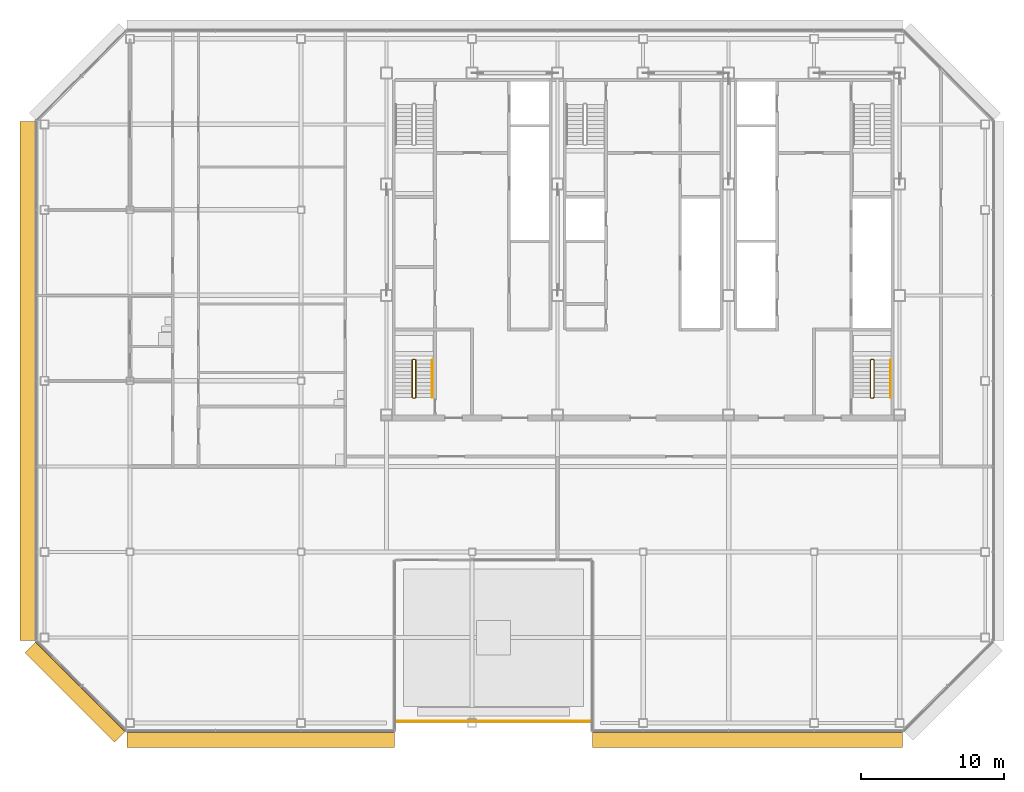
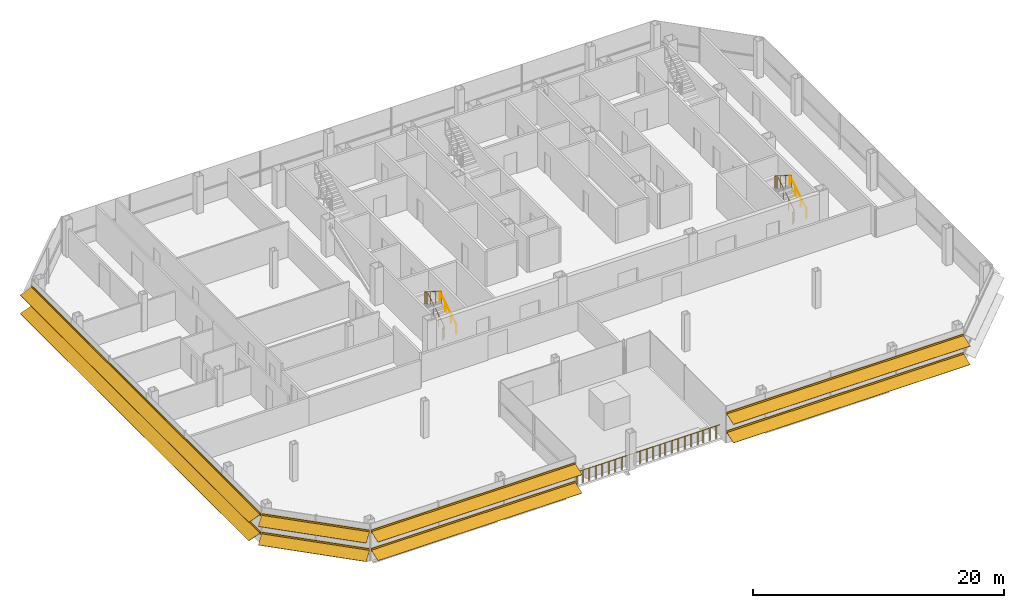
# One storey, part 24 of 27: 5 railings, 4 shading devices.
"""IFC4 building model written with IfcOpenShell, lengths in metres."""

from ifc_helpers import new_model, si_unit, direction, frame, origin, origin_2d, place, context, subcontext, project, spatial, polyline, circle, outline, composite_profile, extrude, material, type_object, element, save


model = new_model("IFC4")

# Units and contexts
model_context = context("Model", 3, precision=1e-05, world=origin(), true_north=direction((0.0, 1.0)))
body_context = subcontext(model_context, "Body", "Model", "MODEL_VIEW")
ifc_project = project(units=[si_unit("LENGTHUNIT", "METRE"), si_unit("AREAUNIT", "SQUARE_METRE"), si_unit("VOLUMEUNIT", "CUBIC_METRE"), si_unit("PLANEANGLEUNIT", "RADIAN"), si_unit("MASSUNIT", "GRAM", prefix="KILO")], contexts=[model_context])

# Site, building, storey
site_placement = place(None, origin())
site = spatial("IfcSite", under=ifc_project, at=site_placement, CompositionType="ELEMENT")
building_placement = place(site_placement, origin())
building = spatial("IfcBuilding", under=site, at=building_placement, Name="Sorahane Residences", CompositionType="ELEMENT")
storey_placement = place(building_placement, frame((0.0, 0.0, 298.0)))
storey = spatial("IfcBuildingStorey", under=building, at=storey_placement, Name="L70", CompositionType="ELEMENT", Elevation=298.0)

# Shading devices
ifc_material_1 = material(Name="Terracotta anodised aluminium", Category="masonry")
shading_device_type_1 = type_object("IfcShadingDeviceType", Name="Louvre sunshade blade S terracotta aluminium 1100", PredefinedType="JALOUSIE", material=ifc_material_1)
shading_device_1_placement = place(storey_placement, frame((-12.198486328125, -0.60009765625, 0.89990234375), z_axis=(1.0, 0.0, 0.0), x_axis=(0.0, 1.0, 0.0)))
element("IfcShadingDevice", 1, at=shading_device_1_placement, inside=storey, type_object=shading_device_type_1, Name="Louvre sunshade blade bank S L70 S1", PredefinedType="JALOUSIE", context=body_context, shape_type="SweptSolid", body=[
    extrude(composite_profile([outline(polyline([(-1.1201171875, -0.385498046875), (-1.1201171875, -0.415283203125), (-0.080078125, -0.036865234375), (-0.080078125, -0.14990234375), (-0.02001953125, -0.14990234375), (-0.02001953125, -0.014892578125), (-0.02001953125, 0.014892578125), (-0.02001953125, 0.14990234375), (-0.080078125, 0.14990234375), (-0.080078125, -0.0068359375), (-1.1201171875, -0.385498046875)])), outline(polyline([(-1.1201171875, 1.41455078125), (-1.1201171875, 1.384521484375), (-0.080078125, 1.76318359375), (-0.080078125, 1.64990234375), (-0.02001953125, 1.64990234375), (-0.02001953125, 1.784912109375), (-0.02001953125, 1.81494140625), (-0.02001953125, 1.949951171875), (-0.080078125, 1.949951171875), (-0.080078125, 1.793212890625), (-1.1201171875, 1.41455078125)]))]), origin(), (0.0, 0.0, 1.0), 18.74853515625),
])
shading_device_2_placement = place(storey_placement, frame((20.449951171875, -0.60009765625, 0.89990234375), z_axis=(1.0, 0.0, 0.0), x_axis=(0.0, 1.0, 0.0)))
element("IfcShadingDevice", 2, at=shading_device_2_placement, inside=storey, type_object=shading_device_type_1, Name="Louvre sunshade blade bank S L70 S3", PredefinedType="JALOUSIE", context=body_context, shape_type="SweptSolid", body=[
    extrude(composite_profile([outline(polyline([(-1.1201171875, -0.385498046875), (-1.1201171875, -0.415283203125), (-0.080078125, -0.036865234375), (-0.080078125, -0.14990234375), (-0.02001953125, -0.14990234375), (-0.02001953125, -0.014892578125), (-0.02001953125, 0.014892578125), (-0.02001953125, 0.14990234375), (-0.080078125, 0.14990234375), (-0.080078125, -0.0068359375), (-1.1201171875, -0.385498046875)])), outline(polyline([(-1.1201171875, 1.41455078125), (-1.1201171875, 1.384521484375), (-0.080078125, 1.76318359375), (-0.080078125, 1.64990234375), (-0.02001953125, 1.64990234375), (-0.02001953125, 1.784912109375), (-0.02001953125, 1.81494140625), (-0.02001953125, 1.949951171875), (-0.080078125, 1.949951171875), (-0.080078125, 1.793212890625), (-1.1201171875, 1.41455078125)]))]), origin(), (0.0, 0.0, 1.0), 21.74853515625),
])
ifc_material_2 = material(Name="Terracotta anodised aluminium", Category="masonry")
shading_device_type_2 = type_object("IfcShadingDeviceType", Name="Louvre sunshade blade SW terracotta aluminium 1100", PredefinedType="JALOUSIE", material=ifc_material_2)
shading_device_3_placement = place(storey_placement, frame((-18.564697265625, 5.716064453125, 0.89990234375), z_axis=(0.707106781187, -0.707106781187, 0.0), x_axis=(0.707106781187, 0.707106781187, 0.0)))
element("IfcShadingDevice", 3, at=shading_device_3_placement, inside=storey, type_object=shading_device_type_2, Name="Louvre sunshade blade bank SW L70 SW1", PredefinedType="JALOUSIE", context=body_context, shape_type="SweptSolid", body=[
    extrude(composite_profile([outline(polyline([(-1.1201171875, -0.385498046875), (-1.1201171875, -0.415283203125), (-0.080078125, -0.036865234375), (-0.080078125, -0.14990234375), (-0.02001953125, -0.14990234375), (-0.02001953125, -0.014892578125), (-0.02001953125, 0.014892578125), (-0.02001953125, 0.14990234375), (-0.080078125, 0.14990234375), (-0.080078125, -0.0068359375), (-1.1201171875, -0.385498046875)])), outline(polyline([(-1.1201171875, 1.41455078125), (-1.1201171875, 1.384521484375), (-0.080078125, 1.76318359375), (-0.080078125, 1.64990234375), (-0.02001953125, 1.64990234375), (-0.02001953125, 1.784912109375), (-0.02001953125, 1.81494140625), (-0.02001953125, 1.949951171875), (-0.080078125, 1.949951171875), (-0.080078125, 1.793212890625), (-1.1201171875, 1.41455078125)]))]), origin(), (0.0, 0.0, 1.0), 8.88232421875),
])
ifc_material_3 = material(Name="Terracotta anodised aluminium", Category="masonry")
shading_device_type_3 = type_object("IfcShadingDeviceType", Name="Louvre sunshade blade W terracotta aluminium 1100", PredefinedType="JALOUSIE", material=ifc_material_3)
shading_device_4_placement = place(storey_placement, frame((-18.60009765625, 42.198486328125, 0.89990234375), z_axis=(0.0, -1.0, 0.0), x_axis=(1.0, 0.0, 0.0)))
element("IfcShadingDevice", 4, at=shading_device_4_placement, inside=storey, type_object=shading_device_type_3, Name="Louvre sunshade blade bank W L70 W2", PredefinedType="JALOUSIE", context=body_context, shape_type="SweptSolid", body=[
    extrude(composite_profile([outline(polyline([(-1.1201171875, -0.385498046875), (-1.1201171875, -0.415283203125), (-0.080078125, -0.036865234375), (-0.080078125, -0.14990234375), (-0.02001953125, -0.14990234375), (-0.02001953125, -0.014892578125), (-0.02001953125, 0.014892578125), (-0.02001953125, 0.14990234375), (-0.080078125, 0.14990234375), (-0.080078125, -0.0068359375), (-1.1201171875, -0.385498046875)])), outline(polyline([(-1.1201171875, 1.41455078125), (-1.1201171875, 1.384521484375), (-0.080078125, 1.76318359375), (-0.080078125, 1.64990234375), (-0.02001953125, 1.64990234375), (-0.02001953125, 1.784912109375), (-0.02001953125, 1.81494140625), (-0.02001953125, 1.949951171875), (-0.080078125, 1.949951171875), (-0.080078125, 1.793212890625), (-1.1201171875, 1.41455078125)]))]), origin(), (0.0, 0.0, 1.0), 36.39697265625),
])

# Railings
ifc_material_4 = material(Name="Steel Q355B", Category="steel")
railing_type_1 = type_object("IfcRailingType", Name="Stair guard 1200 Steel Q355B", PredefinedType="GUARDRAIL", material=ifc_material_4)
railing_1_placement = place(storey_placement, frame((7.85009765625, 22.800048828125, 0.0)))
element("IfcRailing", 5, at=railing_1_placement, inside=storey, type_object=railing_type_1, Name="L70 S4 stair guard 1", PredefinedType="GUARDRAIL", context=body_context, shape_type="SweptSolid", body=[
    extrude(circle(Radius=0.02392578125, at=origin_2d()), frame((0.0, 0.0, 1.17578125), z_axis=(1.0, 0.0, 0.0), x_axis=(0.0, 1.0, 0.0)), (0.0, 0.0, 1.0), 0.14990234375),
    extrude(circle(Radius=0.02392578125, at=origin_2d()), frame((0.14990234375, 0.0, 1.17578125), z_axis=(0.280808744504, 0.280808744504, 0.917765164963), x_axis=(-0.707106781187, 0.707106781187, 0.0)), (0.0, 0.0, 1.0), 0.17822265625),
    extrude(circle(Radius=0.02392578125, at=origin_2d()), frame((0.199951171875, 0.050048828125, 1.33935546875), z_axis=(0.0, 0.846301844409, 0.532703658848), x_axis=(-1.0, 0.0, 0.0)), (0.0, 0.0, 1.0), 3.072021484375),
    extrude(circle(Radius=0.02392578125, at=origin_2d()), frame((0.199951171875, 2.64990234375, 2.97607421875), z_axis=(-0.707106781187, 0.707106781187, 0.0), x_axis=(-0.707106781187, -0.707106781187, 0.0)), (0.0, 0.0, 1.0), 0.07080078125),
    extrude(circle(Radius=0.02392578125, at=origin_2d()), frame((0.14990234375, 2.699951171875, 2.97607421875), z_axis=(-1.0, 0.0, 0.0), x_axis=(0.0, -1.0, 0.0)), (0.0, 0.0, 1.0), 0.14990234375),
    extrude(circle(Radius=0.02392578125, at=origin_2d()), frame((0.0, 2.699951171875, 2.97607421875), z_axis=(-0.280808744504, -0.280808744504, 0.917765164963), x_axis=(0.707106781187, -0.707106781187, 0.0)), (0.0, 0.0, 1.0), 0.17822265625),
    extrude(circle(Radius=0.02392578125, at=origin_2d()), frame((-0.050048828125, 2.64990234375, 3.1396484375), z_axis=(0.0, -0.846301844409, 0.532703658848), x_axis=(1.0, 0.0, 0.0)), (0.0, 0.0, 1.0), 3.072021484375),
    extrude(circle(Radius=0.02099609375, at=origin_2d()), origin(), (0.0, 0.0, 1.0), 1.15185546875),
    extrude(circle(Radius=0.02099609375, at=origin_2d()), frame((0.14990234375, 0.0, 0.0)), (0.0, 0.0, 1.0), 1.15185546875),
    extrude(circle(Radius=0.02099609375, at=origin_2d()), frame((0.199951171875, 0.050048828125, 0.16357421875)), (0.0, 0.0, 1.0), 1.15185546875),
    extrude(circle(Radius=0.02099609375, at=origin_2d()), frame((0.199951171875, 0.916748046875, 0.708984375)), (0.0, 0.0, 1.0), 1.15185546875),
    extrude(circle(Radius=0.02099609375, at=origin_2d()), frame((0.199951171875, 1.783203125, 1.254638671875)), (0.0, 0.0, 1.0), 1.15185546875),
    extrude(circle(Radius=0.02099609375, at=origin_2d()), frame((0.199951171875, 2.64990234375, 1.800048828125)), (0.0, 0.0, 1.0), 1.15185546875),
    extrude(circle(Radius=0.02099609375, at=origin_2d()), frame((0.14990234375, 2.699951171875, 1.800048828125)), (0.0, 0.0, 1.0), 1.15185546875),
    extrude(circle(Radius=0.02099609375, at=origin_2d()), frame((0.0, 2.699951171875, 1.800048828125)), (0.0, 0.0, 1.0), 1.15185546875),
    extrude(circle(Radius=0.02099609375, at=origin_2d()), frame((-0.050048828125, 2.64990234375, 1.963623046875)), (0.0, 0.0, 1.0), 1.15185546875),
    extrude(circle(Radius=0.02099609375, at=origin_2d()), frame((-0.050048828125, 1.783203125, 2.509033203125)), (0.0, 0.0, 1.0), 1.15185546875),
    extrude(circle(Radius=0.02099609375, at=origin_2d()), frame((-0.050048828125, 0.916748046875, 3.0546875)), (0.0, 0.0, 1.0), 1.15185546875),
    extrude(circle(Radius=0.02099609375, at=origin_2d()), frame((-0.050048828125, 0.050048828125, 3.60009765625)), (0.0, 0.0, 1.0), 1.15185546875),
])
railing_2_placement = place(storey_placement, frame((40.0, 22.800048828125, 0.0)))
element("IfcRailing", 6, at=railing_2_placement, inside=storey, type_object=railing_type_1, Name="L70 S5 stair guard 1", PredefinedType="GUARDRAIL", context=body_context, shape_type="SweptSolid", body=[
    extrude(circle(Radius=0.02392578125, at=origin_2d()), frame((0.0, 0.0, 1.17578125), z_axis=(1.0, 0.0, 0.0), x_axis=(0.0, 1.0, 0.0)), (0.0, 0.0, 1.0), 0.14990234375),
    extrude(circle(Radius=0.02392578125, at=origin_2d()), frame((0.14990234375, 0.0, 1.17578125), z_axis=(0.280808744504, 0.280808744504, 0.917765164963), x_axis=(-0.707106781187, 0.707106781187, 0.0)), (0.0, 0.0, 1.0), 0.17822265625),
    extrude(circle(Radius=0.02392578125, at=origin_2d()), frame((0.199951171875, 0.050048828125, 1.33935546875), z_axis=(0.0, 0.846301844409, 0.532703658848), x_axis=(-1.0, 0.0, 0.0)), (0.0, 0.0, 1.0), 3.072021484375),
    extrude(circle(Radius=0.02392578125, at=origin_2d()), frame((0.199951171875, 2.64990234375, 2.97607421875), z_axis=(-0.707106781187, 0.707106781187, 0.0), x_axis=(-0.707106781187, -0.707106781187, 0.0)), (0.0, 0.0, 1.0), 0.07080078125),
    extrude(circle(Radius=0.02392578125, at=origin_2d()), frame((0.14990234375, 2.699951171875, 2.97607421875), z_axis=(-1.0, 0.0, 0.0), x_axis=(0.0, -1.0, 0.0)), (0.0, 0.0, 1.0), 0.14990234375),
    extrude(circle(Radius=0.02392578125, at=origin_2d()), frame((0.0, 2.699951171875, 2.97607421875), z_axis=(-0.280808744504, -0.280808744504, 0.917765164963), x_axis=(0.707106781187, -0.707106781187, 0.0)), (0.0, 0.0, 1.0), 0.17822265625),
    extrude(circle(Radius=0.02392578125, at=origin_2d()), frame((-0.050048828125, 2.64990234375, 3.1396484375), z_axis=(0.0, -0.846301844409, 0.532703658848), x_axis=(1.0, 0.0, 0.0)), (0.0, 0.0, 1.0), 3.072021484375),
    extrude(circle(Radius=0.02099609375, at=origin_2d()), origin(), (0.0, 0.0, 1.0), 1.15185546875),
    extrude(circle(Radius=0.02099609375, at=origin_2d()), frame((0.14990234375, 0.0, 0.0)), (0.0, 0.0, 1.0), 1.15185546875),
    extrude(circle(Radius=0.02099609375, at=origin_2d()), frame((0.199951171875, 0.050048828125, 0.16357421875)), (0.0, 0.0, 1.0), 1.15185546875),
    extrude(circle(Radius=0.02099609375, at=origin_2d()), frame((0.199951171875, 0.916748046875, 0.708984375)), (0.0, 0.0, 1.0), 1.15185546875),
    extrude(circle(Radius=0.02099609375, at=origin_2d()), frame((0.199951171875, 1.783203125, 1.254638671875)), (0.0, 0.0, 1.0), 1.15185546875),
    extrude(circle(Radius=0.02099609375, at=origin_2d()), frame((0.199951171875, 2.64990234375, 1.800048828125)), (0.0, 0.0, 1.0), 1.15185546875),
    extrude(circle(Radius=0.02099609375, at=origin_2d()), frame((0.14990234375, 2.699951171875, 1.800048828125)), (0.0, 0.0, 1.0), 1.15185546875),
    extrude(circle(Radius=0.02099609375, at=origin_2d()), frame((0.0, 2.699951171875, 1.800048828125)), (0.0, 0.0, 1.0), 1.15185546875),
    extrude(circle(Radius=0.02099609375, at=origin_2d()), frame((-0.050048828125, 2.64990234375, 1.963623046875)), (0.0, 0.0, 1.0), 1.15185546875),
    extrude(circle(Radius=0.02099609375, at=origin_2d()), frame((-0.050048828125, 1.783203125, 2.509033203125)), (0.0, 0.0, 1.0), 1.15185546875),
    extrude(circle(Radius=0.02099609375, at=origin_2d()), frame((-0.050048828125, 0.916748046875, 3.0546875)), (0.0, 0.0, 1.0), 1.15185546875),
    extrude(circle(Radius=0.02099609375, at=origin_2d()), frame((-0.050048828125, 0.050048828125, 3.60009765625)), (0.0, 0.0, 1.0), 1.15185546875),
])
ifc_material_5 = material(Name="Steel Q355B", Category="steel")
railing_type_2 = type_object("IfcRailingType", Name="Stair handrail 900 Steel Q355B", PredefinedType="HANDRAIL", material=ifc_material_5)
for number, where, name in (
    (7, (9.199951171875, 22.85009765625, 0.16357421875), "L70 S4 stair handrail 1"),
    (8, (41.35009765625, 22.85009765625, 0.16357421875), "L70 S5 stair handrail 1"),
):
    element("IfcRailing", number, at=place(storey_placement, frame(where)), inside=storey, type_object=railing_type_2, Name=name, PredefinedType="HANDRAIL", context=body_context, shape_type="SweptSolid", body=[
        extrude(circle(Radius=0.02392578125, at=origin_2d()), frame((0.0, 0.0, 0.8759765625), z_axis=(0.0, 0.846301844409, 0.532703658848), x_axis=(-1.0, 0.0, 0.0)), (0.0, 0.0, 1.0), 3.072021484375),
        extrude(circle(Radius=0.02099609375, at=origin_2d()), origin(), (0.0, 0.0, 1.0), 0.851806640625),
        extrude(circle(Radius=0.02099609375, at=origin_2d()), frame((0.0, 0.86669921875, 0.54541015625)), (0.0, 0.0, 1.0), 0.851806640625),
        extrude(circle(Radius=0.02099609375, at=origin_2d()), frame((0.0, 1.733154296875, 1.091064453125)), (0.0, 0.0, 1.0), 0.851806640625),
        extrude(circle(Radius=0.02099609375, at=origin_2d()), frame((0.0, 2.599853515625, 1.636474609375)), (0.0, 0.0, 1.0), 0.851806640625),
    ])
ifc_material_6 = material(Name="Clear low-iron glass with a black steel top rail", Category="steel")
railing_type_3 = type_object("IfcRailingType", Name="Terrace guard black steel bars 1260", PredefinedType="GUARDRAIL", material=ifc_material_6)
railing_3_placement = place(storey_placement, frame((20.280029296875, 0.1201171875, 0.0)))
element("IfcRailing", 9, at=railing_3_placement, inside=storey, type_object=railing_type_3, Name="Terrace guard L70.1.1", PredefinedType="GUARDRAIL", context=body_context, shape_type="SweptSolid", body=[
    extrude(circle(Radius=0.030029296875, at=origin_2d()), frame((0.0, 0.0, 1.22998046875), z_axis=(-1.0, 0.0, 0.0), x_axis=(0.0, -1.0, 0.0)), (0.0, 0.0, 1.0), 13.56005859375),
    extrude(circle(Radius=0.0068359375, at=origin_2d()), origin(), (0.0, 0.0, 1.0), 1.199951171875),
    extrude(circle(Radius=0.0068359375, at=origin_2d()), frame((-0.099609375, 0.0, 0.0)), (0.0, 0.0, 1.0), 1.199951171875),
    extrude(circle(Radius=0.0068359375, at=origin_2d()), frame((-0.199462890625, 0.0, 0.0)), (0.0, 0.0, 1.0), 1.199951171875),
    extrude(circle(Radius=0.0068359375, at=origin_2d()), frame((-0.299072265625, 0.0, 0.0)), (0.0, 0.0, 1.0), 1.199951171875),
    extrude(circle(Radius=0.0068359375, at=origin_2d()), frame((-0.39892578125, 0.0, 0.0)), (0.0, 0.0, 1.0), 1.199951171875),
    extrude(circle(Radius=0.0068359375, at=origin_2d()), frame((-0.49853515625, 0.0, 0.0)), (0.0, 0.0, 1.0), 1.199951171875),
    extrude(circle(Radius=0.0068359375, at=origin_2d()), frame((-0.59814453125, 0.0, 0.0)), (0.0, 0.0, 1.0), 1.199951171875),
    extrude(circle(Radius=0.0068359375, at=origin_2d()), frame((-0.697998046875, 0.0, 0.0)), (0.0, 0.0, 1.0), 1.199951171875),
    extrude(circle(Radius=0.0068359375, at=origin_2d()), frame((-0.797607421875, 0.0, 0.0)), (0.0, 0.0, 1.0), 1.199951171875),
    extrude(circle(Radius=0.0068359375, at=origin_2d()), frame((-0.8974609375, 0.0, 0.0)), (0.0, 0.0, 1.0), 1.199951171875),
    extrude(circle(Radius=0.0068359375, at=origin_2d()), frame((-0.9970703125, 0.0, 0.0)), (0.0, 0.0, 1.0), 1.199951171875),
    extrude(circle(Radius=0.0068359375, at=origin_2d()), frame((-1.0966796875, 0.0, 0.0)), (0.0, 0.0, 1.0), 1.199951171875),
    extrude(circle(Radius=0.0068359375, at=origin_2d()), frame((-1.196533203125, 0.0, 0.0)), (0.0, 0.0, 1.0), 1.199951171875),
    extrude(circle(Radius=0.0068359375, at=origin_2d()), frame((-1.296142578125, 0.0, 0.0)), (0.0, 0.0, 1.0), 1.199951171875),
    extrude(circle(Radius=0.0068359375, at=origin_2d()), frame((-1.39599609375, 0.0, 0.0)), (0.0, 0.0, 1.0), 1.199951171875),
    extrude(circle(Radius=0.0068359375, at=origin_2d()), frame((-1.49560546875, 0.0, 0.0)), (0.0, 0.0, 1.0), 1.199951171875),
    extrude(circle(Radius=0.0068359375, at=origin_2d()), frame((-1.59521484375, 0.0, 0.0)), (0.0, 0.0, 1.0), 1.199951171875),
    extrude(circle(Radius=0.0068359375, at=origin_2d()), frame((-1.695068359375, 0.0, 0.0)), (0.0, 0.0, 1.0), 1.199951171875),
    extrude(circle(Radius=0.0068359375, at=origin_2d()), frame((-1.794677734375, 0.0, 0.0)), (0.0, 0.0, 1.0), 1.199951171875),
    extrude(circle(Radius=0.0068359375, at=origin_2d()), frame((-1.89453125, 0.0, 0.0)), (0.0, 0.0, 1.0), 1.199951171875),
    extrude(circle(Radius=0.0068359375, at=origin_2d()), frame((-1.994140625, 0.0, 0.0)), (0.0, 0.0, 1.0), 1.199951171875),
    extrude(circle(Radius=0.0068359375, at=origin_2d()), frame((-2.09375, 0.0, 0.0)), (0.0, 0.0, 1.0), 1.199951171875),
    extrude(circle(Radius=0.0068359375, at=origin_2d()), frame((-2.193603515625, 0.0, 0.0)), (0.0, 0.0, 1.0), 1.199951171875),
    extrude(circle(Radius=0.0068359375, at=origin_2d()), frame((-2.293212890625, 0.0, 0.0)), (0.0, 0.0, 1.0), 1.199951171875),
    extrude(circle(Radius=0.0068359375, at=origin_2d()), frame((-2.39306640625, 0.0, 0.0)), (0.0, 0.0, 1.0), 1.199951171875),
    extrude(circle(Radius=0.0068359375, at=origin_2d()), frame((-2.49267578125, 0.0, 0.0)), (0.0, 0.0, 1.0), 1.199951171875),
    extrude(circle(Radius=0.0068359375, at=origin_2d()), frame((-2.59228515625, 0.0, 0.0)), (0.0, 0.0, 1.0), 1.199951171875),
    extrude(circle(Radius=0.0068359375, at=origin_2d()), frame((-2.692138671875, 0.0, 0.0)), (0.0, 0.0, 1.0), 1.199951171875),
    extrude(circle(Radius=0.0068359375, at=origin_2d()), frame((-2.791748046875, 0.0, 0.0)), (0.0, 0.0, 1.0), 1.199951171875),
    extrude(circle(Radius=0.0068359375, at=origin_2d()), frame((-2.8916015625, 0.0, 0.0)), (0.0, 0.0, 1.0), 1.199951171875),
    extrude(circle(Radius=0.0068359375, at=origin_2d()), frame((-2.9912109375, 0.0, 0.0)), (0.0, 0.0, 1.0), 1.199951171875),
    extrude(circle(Radius=0.0068359375, at=origin_2d()), frame((-3.0908203125, 0.0, 0.0)), (0.0, 0.0, 1.0), 1.199951171875),
    extrude(circle(Radius=0.0068359375, at=origin_2d()), frame((-3.190673828125, 0.0, 0.0)), (0.0, 0.0, 1.0), 1.199951171875),
    extrude(circle(Radius=0.0068359375, at=origin_2d()), frame((-3.290283203125, 0.0, 0.0)), (0.0, 0.0, 1.0), 1.199951171875),
    extrude(circle(Radius=0.0068359375, at=origin_2d()), frame((-3.39013671875, 0.0, 0.0)), (0.0, 0.0, 1.0), 1.199951171875),
    extrude(circle(Radius=0.0068359375, at=origin_2d()), frame((-3.48974609375, 0.0, 0.0)), (0.0, 0.0, 1.0), 1.199951171875),
    extrude(circle(Radius=0.0068359375, at=origin_2d()), frame((-3.58935546875, 0.0, 0.0)), (0.0, 0.0, 1.0), 1.199951171875),
    extrude(circle(Radius=0.0068359375, at=origin_2d()), frame((-3.689208984375, 0.0, 0.0)), (0.0, 0.0, 1.0), 1.199951171875),
    extrude(circle(Radius=0.0068359375, at=origin_2d()), frame((-3.788818359375, 0.0, 0.0)), (0.0, 0.0, 1.0), 1.199951171875),
    extrude(circle(Radius=0.0068359375, at=origin_2d()), frame((-3.888427734375, 0.0, 0.0)), (0.0, 0.0, 1.0), 1.199951171875),
    extrude(circle(Radius=0.0068359375, at=origin_2d()), frame((-3.98828125, 0.0, 0.0)), (0.0, 0.0, 1.0), 1.199951171875),
    extrude(circle(Radius=0.0068359375, at=origin_2d()), frame((-4.087890625, 0.0, 0.0)), (0.0, 0.0, 1.0), 1.199951171875),
    extrude(circle(Radius=0.0068359375, at=origin_2d()), frame((-4.187744140625, 0.0, 0.0)), (0.0, 0.0, 1.0), 1.199951171875),
    extrude(circle(Radius=0.0068359375, at=origin_2d()), frame((-4.287353515625, 0.0, 0.0)), (0.0, 0.0, 1.0), 1.199951171875),
    extrude(circle(Radius=0.0068359375, at=origin_2d()), frame((-4.386962890625, 0.0, 0.0)), (0.0, 0.0, 1.0), 1.199951171875),
    extrude(circle(Radius=0.0068359375, at=origin_2d()), frame((-4.48681640625, 0.0, 0.0)), (0.0, 0.0, 1.0), 1.199951171875),
    extrude(circle(Radius=0.0068359375, at=origin_2d()), frame((-4.58642578125, 0.0, 0.0)), (0.0, 0.0, 1.0), 1.199951171875),
    extrude(circle(Radius=0.0068359375, at=origin_2d()), frame((-4.686279296875, 0.0, 0.0)), (0.0, 0.0, 1.0), 1.199951171875),
    extrude(circle(Radius=0.0068359375, at=origin_2d()), frame((-4.785888671875, 0.0, 0.0)), (0.0, 0.0, 1.0), 1.199951171875),
    extrude(circle(Radius=0.0068359375, at=origin_2d()), frame((-4.885498046875, 0.0, 0.0)), (0.0, 0.0, 1.0), 1.199951171875),
    extrude(circle(Radius=0.0068359375, at=origin_2d()), frame((-4.9853515625, 0.0, 0.0)), (0.0, 0.0, 1.0), 1.199951171875),
    extrude(circle(Radius=0.0068359375, at=origin_2d()), frame((-5.0849609375, 0.0, 0.0)), (0.0, 0.0, 1.0), 1.199951171875),
    extrude(circle(Radius=0.0068359375, at=origin_2d()), frame((-5.184814453125, 0.0, 0.0)), (0.0, 0.0, 1.0), 1.199951171875),
    extrude(circle(Radius=0.0068359375, at=origin_2d()), frame((-5.284423828125, 0.0, 0.0)), (0.0, 0.0, 1.0), 1.199951171875),
    extrude(circle(Radius=0.0068359375, at=origin_2d()), frame((-5.384033203125, 0.0, 0.0)), (0.0, 0.0, 1.0), 1.199951171875),
    extrude(circle(Radius=0.0068359375, at=origin_2d()), frame((-5.48388671875, 0.0, 0.0)), (0.0, 0.0, 1.0), 1.199951171875),
    extrude(circle(Radius=0.0068359375, at=origin_2d()), frame((-5.58349609375, 0.0, 0.0)), (0.0, 0.0, 1.0), 1.199951171875),
    extrude(circle(Radius=0.0068359375, at=origin_2d()), frame((-5.683349609375, 0.0, 0.0)), (0.0, 0.0, 1.0), 1.199951171875),
    extrude(circle(Radius=0.0068359375, at=origin_2d()), frame((-5.782958984375, 0.0, 0.0)), (0.0, 0.0, 1.0), 1.199951171875),
    extrude(circle(Radius=0.0068359375, at=origin_2d()), frame((-5.882568359375, 0.0, 0.0)), (0.0, 0.0, 1.0), 1.199951171875),
    extrude(circle(Radius=0.0068359375, at=origin_2d()), frame((-5.982421875, 0.0, 0.0)), (0.0, 0.0, 1.0), 1.199951171875),
    extrude(circle(Radius=0.0068359375, at=origin_2d()), frame((-6.08203125, 0.0, 0.0)), (0.0, 0.0, 1.0), 1.199951171875),
    extrude(circle(Radius=0.0068359375, at=origin_2d()), frame((-6.181884765625, 0.0, 0.0)), (0.0, 0.0, 1.0), 1.199951171875),
    extrude(circle(Radius=0.0068359375, at=origin_2d()), frame((-6.281494140625, 0.0, 0.0)), (0.0, 0.0, 1.0), 1.199951171875),
    extrude(circle(Radius=0.0068359375, at=origin_2d()), frame((-6.381103515625, 0.0, 0.0)), (0.0, 0.0, 1.0), 1.199951171875),
    extrude(circle(Radius=0.0068359375, at=origin_2d()), frame((-6.48095703125, 0.0, 0.0)), (0.0, 0.0, 1.0), 1.199951171875),
    extrude(circle(Radius=0.0068359375, at=origin_2d()), frame((-6.58056640625, 0.0, 0.0)), (0.0, 0.0, 1.0), 1.199951171875),
    extrude(circle(Radius=0.0068359375, at=origin_2d()), frame((-6.680419921875, 0.0, 0.0)), (0.0, 0.0, 1.0), 1.199951171875),
    extrude(circle(Radius=0.0068359375, at=origin_2d()), frame((-6.780029296875, 0.0, 0.0)), (0.0, 0.0, 1.0), 1.199951171875),
    extrude(circle(Radius=0.0068359375, at=origin_2d()), frame((-6.879638671875, 0.0, 0.0)), (0.0, 0.0, 1.0), 1.199951171875),
    extrude(circle(Radius=0.0068359375, at=origin_2d()), frame((-6.9794921875, 0.0, 0.0)), (0.0, 0.0, 1.0), 1.199951171875),
    extrude(circle(Radius=0.0068359375, at=origin_2d()), frame((-7.0791015625, 0.0, 0.0)), (0.0, 0.0, 1.0), 1.199951171875),
    extrude(circle(Radius=0.0068359375, at=origin_2d()), frame((-7.178955078125, 0.0, 0.0)), (0.0, 0.0, 1.0), 1.199951171875),
    extrude(circle(Radius=0.0068359375, at=origin_2d()), frame((-7.278564453125, 0.0, 0.0)), (0.0, 0.0, 1.0), 1.199951171875),
    extrude(circle(Radius=0.0068359375, at=origin_2d()), frame((-7.378173828125, 0.0, 0.0)), (0.0, 0.0, 1.0), 1.199951171875),
    extrude(circle(Radius=0.0068359375, at=origin_2d()), frame((-7.47802734375, 0.0, 0.0)), (0.0, 0.0, 1.0), 1.199951171875),
    extrude(circle(Radius=0.0068359375, at=origin_2d()), frame((-7.57763671875, 0.0, 0.0)), (0.0, 0.0, 1.0), 1.199951171875),
    extrude(circle(Radius=0.0068359375, at=origin_2d()), frame((-7.677490234375, 0.0, 0.0)), (0.0, 0.0, 1.0), 1.199951171875),
    extrude(circle(Radius=0.0068359375, at=origin_2d()), frame((-7.777099609375, 0.0, 0.0)), (0.0, 0.0, 1.0), 1.199951171875),
    extrude(circle(Radius=0.0068359375, at=origin_2d()), frame((-7.876708984375, 0.0, 0.0)), (0.0, 0.0, 1.0), 1.199951171875),
    extrude(circle(Radius=0.0068359375, at=origin_2d()), frame((-7.9765625, 0.0, 0.0)), (0.0, 0.0, 1.0), 1.199951171875),
    extrude(circle(Radius=0.0068359375, at=origin_2d()), frame((-8.076171875, 0.0, 0.0)), (0.0, 0.0, 1.0), 1.199951171875),
    extrude(circle(Radius=0.0068359375, at=origin_2d()), frame((-8.176025390625, 0.0, 0.0)), (0.0, 0.0, 1.0), 1.199951171875),
    extrude(circle(Radius=0.0068359375, at=origin_2d()), frame((-8.275634765625, 0.0, 0.0)), (0.0, 0.0, 1.0), 1.199951171875),
    extrude(circle(Radius=0.0068359375, at=origin_2d()), frame((-8.375244140625, 0.0, 0.0)), (0.0, 0.0, 1.0), 1.199951171875),
    extrude(circle(Radius=0.0068359375, at=origin_2d()), frame((-8.47509765625, 0.0, 0.0)), (0.0, 0.0, 1.0), 1.199951171875),
    extrude(circle(Radius=0.0068359375, at=origin_2d()), frame((-8.57470703125, 0.0, 0.0)), (0.0, 0.0, 1.0), 1.199951171875),
    extrude(circle(Radius=0.0068359375, at=origin_2d()), frame((-8.674560546875, 0.0, 0.0)), (0.0, 0.0, 1.0), 1.199951171875),
    extrude(circle(Radius=0.0068359375, at=origin_2d()), frame((-8.774169921875, 0.0, 0.0)), (0.0, 0.0, 1.0), 1.199951171875),
    extrude(circle(Radius=0.0068359375, at=origin_2d()), frame((-8.873779296875, 0.0, 0.0)), (0.0, 0.0, 1.0), 1.199951171875),
    extrude(circle(Radius=0.0068359375, at=origin_2d()), frame((-8.9736328125, 0.0, 0.0)), (0.0, 0.0, 1.0), 1.199951171875),
    extrude(circle(Radius=0.0068359375, at=origin_2d()), frame((-9.0732421875, 0.0, 0.0)), (0.0, 0.0, 1.0), 1.199951171875),
    extrude(circle(Radius=0.0068359375, at=origin_2d()), frame((-9.173095703125, 0.0, 0.0)), (0.0, 0.0, 1.0), 1.199951171875),
    extrude(circle(Radius=0.0068359375, at=origin_2d()), frame((-9.272705078125, 0.0, 0.0)), (0.0, 0.0, 1.0), 1.199951171875),
    extrude(circle(Radius=0.0068359375, at=origin_2d()), frame((-9.372314453125, 0.0, 0.0)), (0.0, 0.0, 1.0), 1.199951171875),
    extrude(circle(Radius=0.0068359375, at=origin_2d()), frame((-9.47216796875, 0.0, 0.0)), (0.0, 0.0, 1.0), 1.199951171875),
    extrude(circle(Radius=0.0068359375, at=origin_2d()), frame((-9.57177734375, 0.0, 0.0)), (0.0, 0.0, 1.0), 1.199951171875),
    extrude(circle(Radius=0.0068359375, at=origin_2d()), frame((-9.671630859375, 0.0, 0.0)), (0.0, 0.0, 1.0), 1.199951171875),
    extrude(circle(Radius=0.0068359375, at=origin_2d()), frame((-9.771240234375, 0.0, 0.0)), (0.0, 0.0, 1.0), 1.199951171875),
    extrude(circle(Radius=0.0068359375, at=origin_2d()), frame((-9.870849609375, 0.0, 0.0)), (0.0, 0.0, 1.0), 1.199951171875),
    extrude(circle(Radius=0.0068359375, at=origin_2d()), frame((-9.970703125, 0.0, 0.0)), (0.0, 0.0, 1.0), 1.199951171875),
    extrude(circle(Radius=0.0068359375, at=origin_2d()), frame((-10.0703125, 0.0, 0.0)), (0.0, 0.0, 1.0), 1.199951171875),
    extrude(circle(Radius=0.0068359375, at=origin_2d()), frame((-10.169921875, 0.0, 0.0)), (0.0, 0.0, 1.0), 1.199951171875),
    extrude(circle(Radius=0.0068359375, at=origin_2d()), frame((-10.269775390625, 0.0, 0.0)), (0.0, 0.0, 1.0), 1.199951171875),
    extrude(circle(Radius=0.0068359375, at=origin_2d()), frame((-10.369384765625, 0.0, 0.0)), (0.0, 0.0, 1.0), 1.199951171875),
    extrude(circle(Radius=0.0068359375, at=origin_2d()), frame((-10.46923828125, 0.0, 0.0)), (0.0, 0.0, 1.0), 1.199951171875),
    extrude(circle(Radius=0.0068359375, at=origin_2d()), frame((-10.56884765625, 0.0, 0.0)), (0.0, 0.0, 1.0), 1.199951171875),
    extrude(circle(Radius=0.0068359375, at=origin_2d()), frame((-10.66845703125, 0.0, 0.0)), (0.0, 0.0, 1.0), 1.199951171875),
    extrude(circle(Radius=0.0068359375, at=origin_2d()), frame((-10.768310546875, 0.0, 0.0)), (0.0, 0.0, 1.0), 1.199951171875),
    extrude(circle(Radius=0.0068359375, at=origin_2d()), frame((-10.867919921875, 0.0, 0.0)), (0.0, 0.0, 1.0), 1.199951171875),
    extrude(circle(Radius=0.0068359375, at=origin_2d()), frame((-10.9677734375, 0.0, 0.0)), (0.0, 0.0, 1.0), 1.199951171875),
    extrude(circle(Radius=0.0068359375, at=origin_2d()), frame((-11.0673828125, 0.0, 0.0)), (0.0, 0.0, 1.0), 1.199951171875),
    extrude(circle(Radius=0.0068359375, at=origin_2d()), frame((-11.1669921875, 0.0, 0.0)), (0.0, 0.0, 1.0), 1.199951171875),
    extrude(circle(Radius=0.0068359375, at=origin_2d()), frame((-11.266845703125, 0.0, 0.0)), (0.0, 0.0, 1.0), 1.199951171875),
    extrude(circle(Radius=0.0068359375, at=origin_2d()), frame((-11.366455078125, 0.0, 0.0)), (0.0, 0.0, 1.0), 1.199951171875),
    extrude(circle(Radius=0.0068359375, at=origin_2d()), frame((-11.46630859375, 0.0, 0.0)), (0.0, 0.0, 1.0), 1.199951171875),
    extrude(circle(Radius=0.0068359375, at=origin_2d()), frame((-11.56591796875, 0.0, 0.0)), (0.0, 0.0, 1.0), 1.199951171875),
    extrude(circle(Radius=0.0068359375, at=origin_2d()), frame((-11.66552734375, 0.0, 0.0)), (0.0, 0.0, 1.0), 1.199951171875),
    extrude(circle(Radius=0.0068359375, at=origin_2d()), frame((-11.765380859375, 0.0, 0.0)), (0.0, 0.0, 1.0), 1.199951171875),
    extrude(circle(Radius=0.0068359375, at=origin_2d()), frame((-11.864990234375, 0.0, 0.0)), (0.0, 0.0, 1.0), 1.199951171875),
    extrude(circle(Radius=0.0068359375, at=origin_2d()), frame((-11.96484375, 0.0, 0.0)), (0.0, 0.0, 1.0), 1.199951171875),
    extrude(circle(Radius=0.0068359375, at=origin_2d()), frame((-12.064453125, 0.0, 0.0)), (0.0, 0.0, 1.0), 1.199951171875),
    extrude(circle(Radius=0.0068359375, at=origin_2d()), frame((-12.1640625, 0.0, 0.0)), (0.0, 0.0, 1.0), 1.199951171875),
    extrude(circle(Radius=0.0068359375, at=origin_2d()), frame((-12.263916015625, 0.0, 0.0)), (0.0, 0.0, 1.0), 1.199951171875),
    extrude(circle(Radius=0.0068359375, at=origin_2d()), frame((-12.363525390625, 0.0, 0.0)), (0.0, 0.0, 1.0), 1.199951171875),
    extrude(circle(Radius=0.0068359375, at=origin_2d()), frame((-12.46337890625, 0.0, 0.0)), (0.0, 0.0, 1.0), 1.199951171875),
    extrude(circle(Radius=0.0068359375, at=origin_2d()), frame((-12.56298828125, 0.0, 0.0)), (0.0, 0.0, 1.0), 1.199951171875),
    extrude(circle(Radius=0.0068359375, at=origin_2d()), frame((-12.66259765625, 0.0, 0.0)), (0.0, 0.0, 1.0), 1.199951171875),
    extrude(circle(Radius=0.0068359375, at=origin_2d()), frame((-12.762451171875, 0.0, 0.0)), (0.0, 0.0, 1.0), 1.199951171875),
    extrude(circle(Radius=0.0068359375, at=origin_2d()), frame((-12.862060546875, 0.0, 0.0)), (0.0, 0.0, 1.0), 1.199951171875),
    extrude(circle(Radius=0.0068359375, at=origin_2d()), frame((-12.9619140625, 0.0, 0.0)), (0.0, 0.0, 1.0), 1.199951171875),
    extrude(circle(Radius=0.0068359375, at=origin_2d()), frame((-13.0615234375, 0.0, 0.0)), (0.0, 0.0, 1.0), 1.199951171875),
    extrude(circle(Radius=0.0068359375, at=origin_2d()), frame((-13.1611328125, 0.0, 0.0)), (0.0, 0.0, 1.0), 1.199951171875),
    extrude(circle(Radius=0.0068359375, at=origin_2d()), frame((-13.260986328125, 0.0, 0.0)), (0.0, 0.0, 1.0), 1.199951171875),
    extrude(circle(Radius=0.0068359375, at=origin_2d()), frame((-13.360595703125, 0.0, 0.0)), (0.0, 0.0, 1.0), 1.199951171875),
    extrude(circle(Radius=0.0068359375, at=origin_2d()), frame((-13.46044921875, 0.0, 0.0)), (0.0, 0.0, 1.0), 1.199951171875),
    extrude(circle(Radius=0.0068359375, at=origin_2d()), frame((-13.56005859375, 0.0, 0.0)), (0.0, 0.0, 1.0), 1.199951171875),
])

save(model, "model.ifc")
